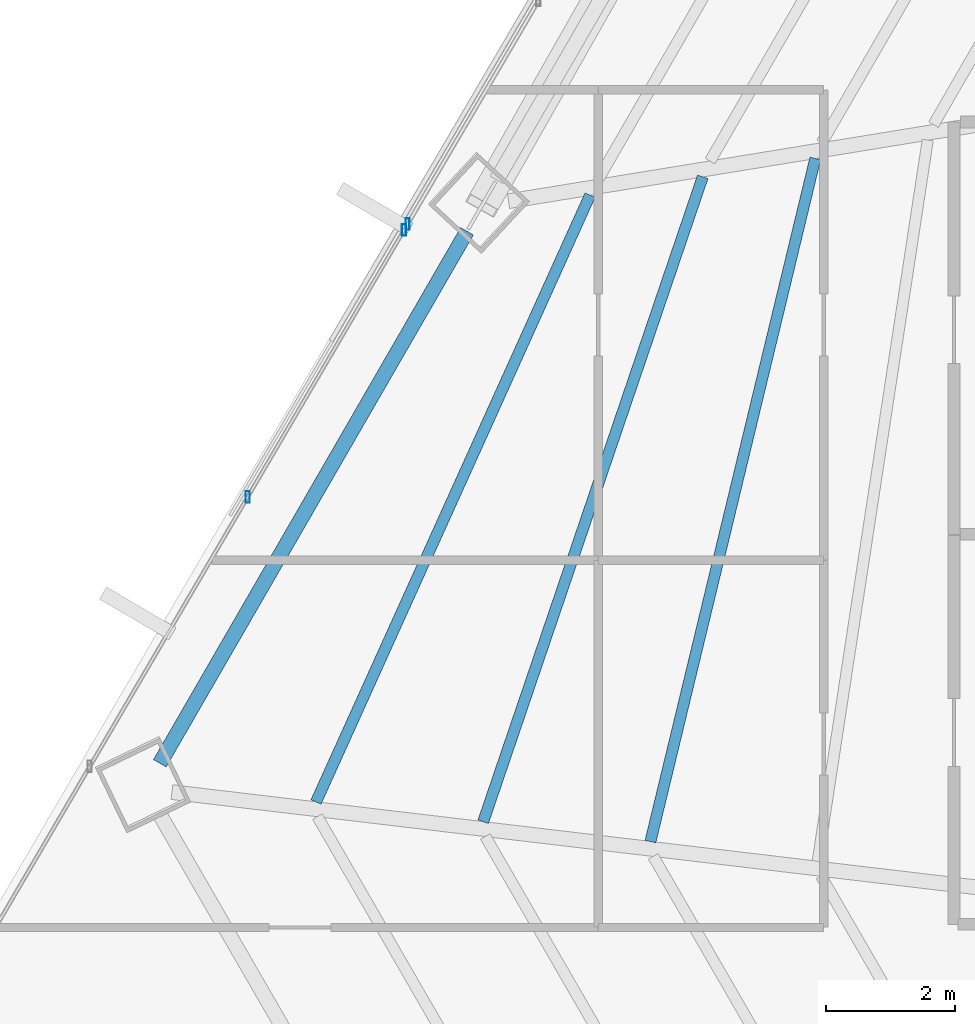
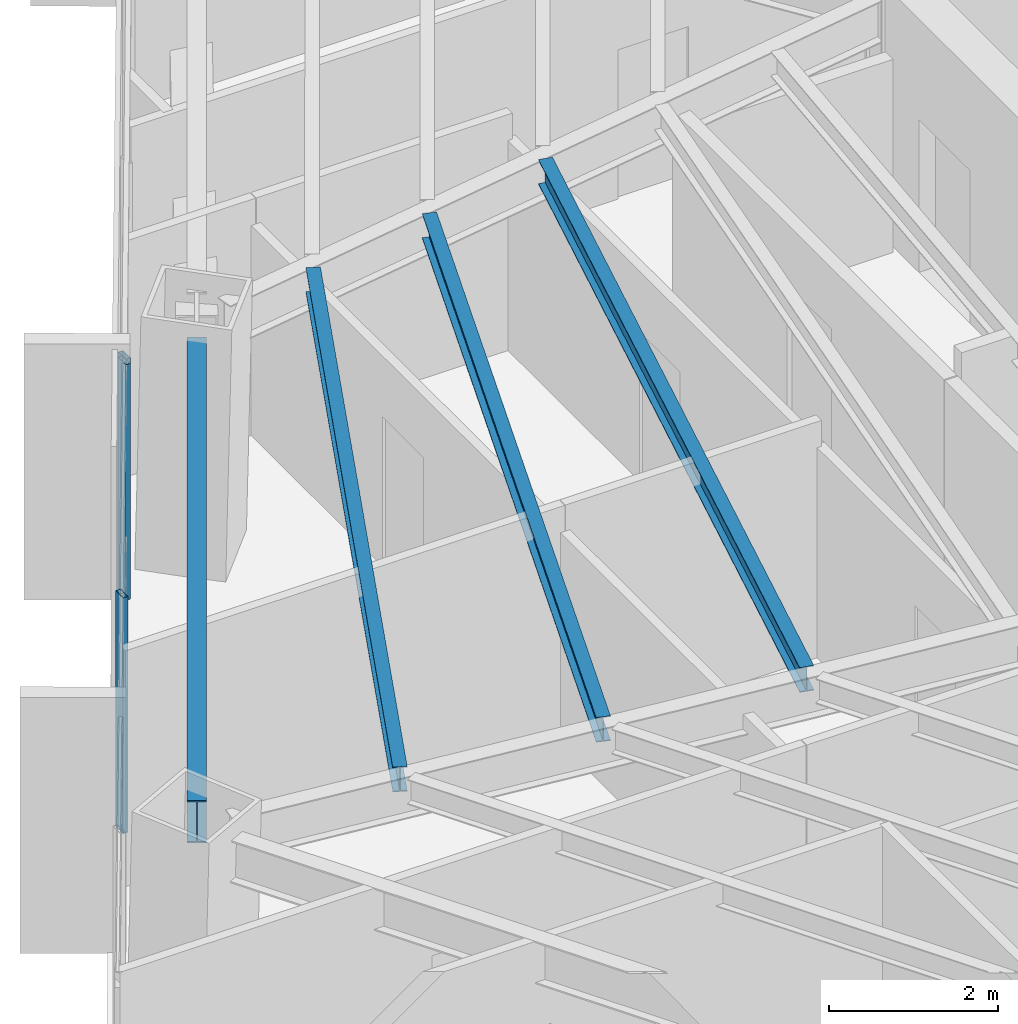
# One storey, part 11 of 37: 4 beams, 3 members, 2 elements without a shape of their own.
"""IFC4 building model written with IfcOpenShell, lengths in metres."""

from ifc_helpers import new_model, si_unit, direction, frame, origin, origin_2d, place, context, subcontext, project, spatial, hollow_rectangle, i_section, extrude, source, transform, mapped, material, material_profile, profile_set, type_object, type_shapes, element, aggregate, save


model = new_model("IFC4")

# Units and contexts
model_context = context("Model", 3, precision=1e-05, world=origin(), true_north=direction((0.0, 1.0)))
body_context = subcontext(model_context, "Body", "Model", "MODEL_VIEW")
ifc_project = project(units=[si_unit("LENGTHUNIT", "METRE"), si_unit("AREAUNIT", "SQUARE_METRE"), si_unit("VOLUMEUNIT", "CUBIC_METRE"), si_unit("PLANEANGLEUNIT", "RADIAN"), si_unit("MASSUNIT", "GRAM", prefix="KILO")], contexts=[model_context])

# Site, building, storey
site_placement = place(None, origin())
site = spatial("IfcSite", under=ifc_project, at=site_placement, CompositionType="ELEMENT")
building_placement = place(site_placement, origin())
building = spatial("IfcBuilding", under=site, at=building_placement, Name="Caelisora Broadcast Tower", CompositionType="ELEMENT")
storey_placement = place(building_placement, frame((0.0, 0.0, 101.75)))
storey = spatial("IfcBuildingStorey", under=building, at=storey_placement, Name="L26", CompositionType="ELEMENT", Elevation=101.75)

# Beams
ifc_material_1 = material(Name="Steel Grade 350 (AS/NZS 3679.1)", Category="steel")
ifc_material_profile_1 = material_profile(ifc_material_1, i_section(OverallWidth=0.22900390625, OverallDepth=0.611572265625, WebThickness=0.011962890625, FlangeThickness=0.01953125, at=origin_2d()), Name="Steel Grade 350 (AS/NZS 3679.1)")
ifc_profile_set_1 = profile_set([ifc_material_profile_1], Name="Steel Grade 350 (AS/NZS 3679.1)")
beam_type_1 = type_object("IfcBeamType", Name="PG03", PredefinedType="BEAM", material=ifc_profile_set_1)
shared_shape_1 = source(origin(), body_context, "Body", "SweptSolid", [
    extrude(i_section(OverallWidth=0.22900390625, OverallDepth=0.611572265625, WebThickness=0.011962890625, FlangeThickness=0.01953125, at=origin_2d()), origin(), (0.0, 0.0, 1.0), 9.533447265625),
])
type_shapes(beam_type_1, [shared_shape_1])
beam_1_placement = place(storey_placement, frame((19.863525390625, 27.904541015625, 3.09423828125), z_axis=(-0.500014327106, -0.866017131868, 0.0), x_axis=(0.866017131868, -0.500014327106, 0.0)))
element("IfcBeam", 1, at=beam_1_placement, inside=storey, type_object=beam_type_1, Name="L26 beam PG03", PredefinedType="BEAM", context=body_context, shape_type="MappedRepresentation", body=[
    mapped(shared_shape_1, transform((0.0, 0.0, 0.0), scale=1.0)),
])
ifc_material_profile_2 = material_profile(ifc_material_1, i_section(OverallWidth=0.172119140625, OverallDepth=0.358642578125, WebThickness=0.008056640625, FlangeThickness=0.012939453125, at=origin_2d()), Name="Steel Grade 350 (AS/NZS 3679.1)")
ifc_profile_set_2 = profile_set([ifc_material_profile_2], Name="Steel Grade 350 (AS/NZS 3679.1)")
beam_type_2 = type_object("IfcBeamType", Name="SB02", PredefinedType="JOIST", material=ifc_profile_set_2)
shared_shape_2 = source(origin(), body_context, "Body", "SweptSolid", [
    extrude(i_section(OverallWidth=0.172119140625, OverallDepth=0.358642578125, WebThickness=0.008056640625, FlangeThickness=0.012939453125, at=origin_2d()), origin(), (0.0, 0.0, 1.0), 10.905029296875),
])
beam_2_placement = place(storey_placement, frame((25.268310546875, 29.0341796875, 3.220703125), z_axis=(-0.234625943163, -0.972085730167, 0.0), x_axis=(0.972085730167, -0.234625943163, 0.0)))
element("IfcBeam", 2, at=beam_2_placement, inside=storey, type_object=beam_type_2, Name="L26 beam SB02", PredefinedType="JOIST", context=body_context, shape_type="MappedRepresentation", body=[
    mapped(shared_shape_2, transform((0.0, 0.0, 0.0), scale=1.0)),
])
shared_shape_3 = source(origin(), body_context, "Body", "SweptSolid", [
    extrude(i_section(OverallWidth=0.172119140625, OverallDepth=0.358642578125, WebThickness=0.008056640625, FlangeThickness=0.012939453125, at=origin_2d()), origin(), (0.0, 0.0, 1.0), 10.572265625),
])
beam_3_placement = place(storey_placement, frame((23.521728515625, 28.749267578125, 3.220703125), z_axis=(-0.322276126161, -0.946645709073, 0.0), x_axis=(0.946645709073, -0.322276126161, 0.0)))
element("IfcBeam", 3, at=beam_3_placement, inside=storey, type_object=beam_type_2, Name="L26 beam SB02", PredefinedType="JOIST", context=body_context, shape_type="MappedRepresentation", body=[
    mapped(shared_shape_3, transform((0.0, 0.0, 0.0), scale=1.0)),
])
shared_shape_4 = source(origin(), body_context, "Body", "SweptSolid", [
    extrude(i_section(OverallWidth=0.172119140625, OverallDepth=0.358642578125, WebThickness=0.008056640625, FlangeThickness=0.012939453125, at=origin_2d()), origin(), (0.0, 0.0, 1.0), 10.33154296875),
])
type_shapes(beam_type_2, [shared_shape_2, shared_shape_3, shared_shape_4])
beam_4_placement = place(storey_placement, frame((21.772705078125, 28.4638671875, 3.220703125), z_axis=(-0.411599385333, -0.911364880821, 0.0), x_axis=(0.911364880821, -0.411599385333, 0.0)))
element("IfcBeam", 4, at=beam_4_placement, inside=storey, type_object=beam_type_2, Name="L26 beam SB02", PredefinedType="JOIST", context=body_context, shape_type="MappedRepresentation", body=[
    mapped(shared_shape_4, transform((0.0, 0.0, 0.0), scale=1.0)),
])

# Curtain wall, members
ifc_material_2 = material(Name="Unitised Aluminium and Low-E Glass Curtain Wall", Category="glass")
curtain_wall_type_1 = type_object("IfcCurtainWallType", Name="CW-Z2", PredefinedType="NOTDEFINED", material=ifc_material_2)
curtain_wall_1_placement = place(storey_placement, origin())
curtain_wall_1 = element("IfcCurtainWall", 5, at=curtain_wall_1_placement, inside=storey, type_object=curtain_wall_type_1, Name="L26 curtain wall CW-Z2", PredefinedType="NOTDEFINED")
ifc_material_3 = material(Name="Aluminium 6063-T6 Anodised Terracotta Bronze", Category="aluminium")
ifc_material_profile_3 = material_profile(ifc_material_3, hollow_rectangle(XDim=0.06494140625, YDim=0.179931640625, WallThickness=0.00341796875, at=origin_2d()), Name="Aluminium 6063-T6 Anodised Terracotta Bronze")
ifc_profile_set_3 = profile_set([ifc_material_profile_3], Name="Aluminium 6063-T6 Anodised Terracotta Bronze")
member_type = type_object("IfcMemberType", Name="CWM-02", PredefinedType="MULLION", material=ifc_profile_set_3)
shared_shape_5 = source(origin(), body_context, "Body", "SweptSolid", [
    extrude(hollow_rectangle(XDim=0.06494140625, YDim=0.179931640625, WallThickness=0.00341796875, at=origin_2d()), origin(), (0.0, 0.0, 1.0), 3.39990234375),
])
type_shapes(member_type, [shared_shape_5])
member_1_placement = place(storey_placement, frame((16.460205078125, 23.781005859375, 0.0), z_axis=(0.0, 0.0, 1.0), x_axis=(1.0, 0.0, 0.0)))
member_1 = element("IfcMember", 6, at=member_1_placement, type_object=member_type, Name="L26-CW-B09 mullion #2", PredefinedType="MULLION", context=body_context, shape_type="MappedRepresentation", body=[
    mapped(shared_shape_5, transform((0.0, 0.0, 0.0), scale=1.0)),
])
member_2_placement = place(storey_placement, frame((18.885986328125, 27.922119140625, 0.0), z_axis=(0.0, 0.0, 1.0), x_axis=(1.0, 0.0, 0.0)))
member_2 = element("IfcMember", 7, at=member_2_placement, type_object=member_type, Name="L26-CW-B09 mullion #3", PredefinedType="MULLION", context=body_context, shape_type="MappedRepresentation", body=[
    mapped(shared_shape_5, transform((0.0, 0.0, 0.0), scale=1.0)),
])
aggregate(curtain_wall_1, [member_1, member_2])

# Curtain wall, member
ifc_material_4 = material(Name="Unitised Aluminium Insulated Shadow-Box Spandrel Curtain Wall", Category="aluminium")
curtain_wall_type_2 = type_object("IfcCurtainWallType", Name="CW-SP1", PredefinedType="NOTDEFINED", material=ifc_material_4)
curtain_wall_2_placement = place(storey_placement, origin())
curtain_wall_2 = element("IfcCurtainWall", 8, at=curtain_wall_2_placement, inside=storey, type_object=curtain_wall_type_2, Name="L26 curtain wall CW-SP1", PredefinedType="NOTDEFINED")
member_3_placement = place(storey_placement, frame((18.941650390625, 28.01708984375, 0.0), z_axis=(0.0, 0.0, 1.0), x_axis=(1.0, 0.0, 0.0)))
member_3 = element("IfcMember", 9, at=member_3_placement, type_object=member_type, Name="L26-CW-B10 mullion #0", PredefinedType="MULLION", context=body_context, shape_type="MappedRepresentation", body=[
    mapped(shared_shape_5, transform((0.0, 0.0, 0.0), scale=1.0)),
])
aggregate(curtain_wall_2, [member_3])

save(model, "model.ifc")
